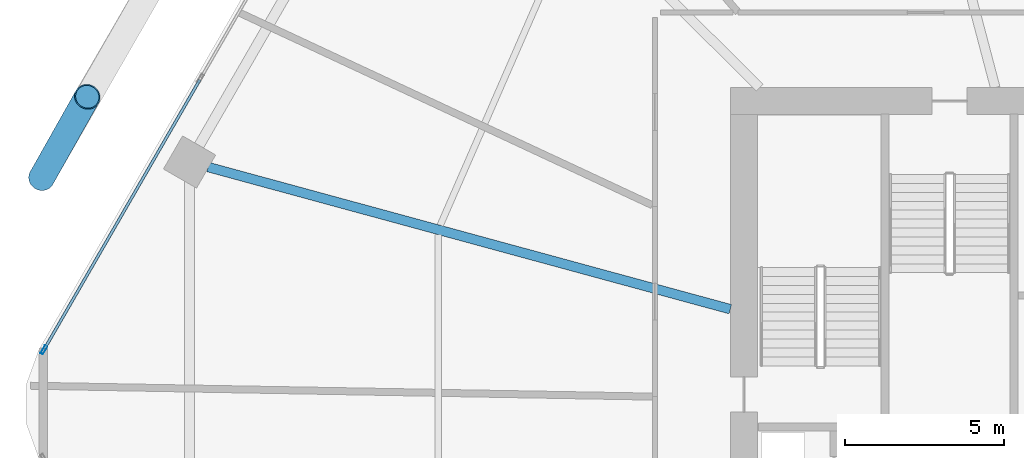
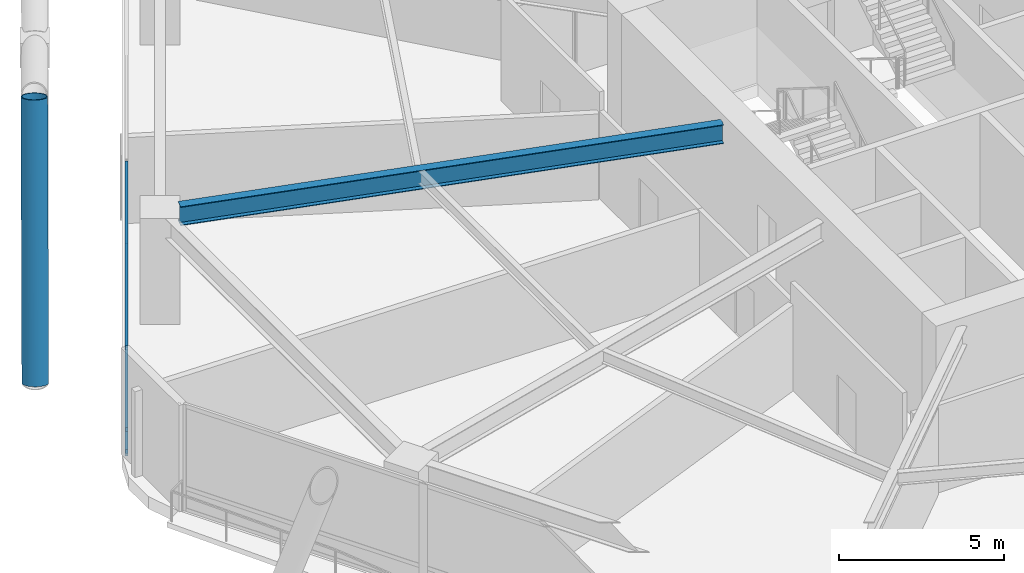
# One storey, part 13 of 31: 5 members, 1 beam, 1 element without a shape of its own.
"""IFC4 building model written with IfcOpenShell, lengths in metres."""

from ifc_helpers import new_model, si_unit, direction, frame, origin, origin_2d, place, context, subcontext, project, spatial, hollow_rectangle, hollow_circle, i_section, extrude, material, material_profile, profile_set, type_object, element, aggregate, save


model = new_model("IFC4")

# Units and contexts
model_context = context("Model", 3, precision=1e-05, world=origin(), true_north=direction((0.0, 1.0)))
body_context = subcontext(model_context, "Body", "Model", "MODEL_VIEW")
ifc_project = project(units=[si_unit("LENGTHUNIT", "METRE"), si_unit("AREAUNIT", "SQUARE_METRE"), si_unit("VOLUMEUNIT", "CUBIC_METRE"), si_unit("PLANEANGLEUNIT", "RADIAN"), si_unit("MASSUNIT", "GRAM", prefix="KILO")], contexts=[model_context])

# Site, building, storey
site_placement = place(None, origin())
site = spatial("IfcSite", under=ifc_project, at=site_placement, CompositionType="ELEMENT")
building_placement = place(site_placement, origin())
building = spatial("IfcBuilding", under=site, at=building_placement, Name="Zuhravey Tower", CompositionType="ELEMENT")
storey_placement = place(building_placement, frame((0.0, 0.0, 7.800048828125)))
storey = spatial("IfcBuildingStorey", under=building, at=storey_placement, Name="L02", CompositionType="ELEMENT", Elevation=7.800048828125)

# Curtain wall, members
ifc_material_1 = material(Name="Thermally broken anodised aluminium", Category="aluminium")
curtain_wall_type = type_object("IfcCurtainWallType", Name="School Low-E Unitised Curtain Wall CW1", PredefinedType="NOTDEFINED", material=ifc_material_1)
curtain_wall_placement = place(storey_placement, origin())
curtain_wall = element("IfcCurtainWall", 1, at=curtain_wall_placement, inside=storey, type_object=curtain_wall_type, Name="L02 CW1 CW-L02-F3-1", PredefinedType="NOTDEFINED")
ifc_material_2 = material(Name="Anodised aluminium", Category="aluminium")
ifc_material_profile_1 = material_profile(ifc_material_2, hollow_rectangle(XDim=0.090087890625, YDim=0.284912109375, WallThickness=0.0048828125, at=origin_2d()), Name="ALU-RHS-90x285x5")
ifc_profile_set_1 = profile_set([ifc_material_profile_1], Name="Anodised aluminium")
member_type_1 = type_object("IfcMemberType", Name="Curtain-Wall Mullion 90x180", PredefinedType="MULLION", material=ifc_profile_set_1)
member_1_placement = place(storey_placement, frame((3.5439453125, 33.701416015625, 0.0), z_axis=(0.0, 0.0, 1.0), x_axis=(-0.86602552265, 0.499999794119, 0.0)))
member_1 = element("IfcMember", 2, at=member_1_placement, type_object=member_type_1, Name="CW1 mullion 1", PredefinedType="MULLION", context=body_context, shape_type="SweptSolid", body=[
    extrude(hollow_rectangle(XDim=0.090087890625, YDim=0.284912109375, WallThickness=0.0048828125, at=origin_2d()), origin(), (0.0, 0.0, 1.0), 3.919921875),
])
ifc_material_profile_2 = material_profile(ifc_material_2, hollow_rectangle(XDim=0.090087890625, YDim=0.14990234375, WallThickness=0.0048828125, at=origin_2d()), Name="ALU-RHS-90x150x5")
ifc_profile_set_2 = profile_set([ifc_material_profile_2], Name="Anodised aluminium")
member_type_2 = type_object("IfcMemberType", Name="Curtain-Wall Transom 90x150", PredefinedType="USERDEFINED", material=ifc_profile_set_2)
member_2_placement = place(storey_placement, frame((3.56640625, 33.740478515625, 0.044921875), z_axis=(0.500008393077, 0.866020557985, 0.0), x_axis=(-0.866020557985, 0.500008393077, 0.0)))
member_2 = element("IfcMember", 3, at=member_2_placement, type_object=member_type_2, Name="CW1 transom 1.1", ObjectType="TRANSOM", PredefinedType="USERDEFINED", context=body_context, shape_type="SweptSolid", body=[
    extrude(hollow_rectangle(XDim=0.090087890625, YDim=0.14990234375, WallThickness=0.0048828125, at=origin_2d()), origin(), (0.0, 0.0, 1.0), 9.731201171875),
])
member_3_placement = place(storey_placement, frame((3.56640625, 33.740478515625, 0.849853515625), z_axis=(0.500008393077, 0.866020557985, 0.0), x_axis=(-0.866020557985, 0.500008393077, 0.0)))
member_3 = element("IfcMember", 4, at=member_3_placement, type_object=member_type_2, Name="CW1 transom 1.2", ObjectType="TRANSOM", PredefinedType="USERDEFINED", context=body_context, shape_type="SweptSolid", body=[
    extrude(hollow_rectangle(XDim=0.090087890625, YDim=0.14990234375, WallThickness=0.0048828125, at=origin_2d()), origin(), (0.0, 0.0, 1.0), 9.731201171875),
])
member_4_placement = place(storey_placement, frame((3.56640625, 33.740478515625, 3.875), z_axis=(0.500008393077, 0.866020557985, 0.0), x_axis=(-0.866020557985, 0.500008393077, 0.0)))
member_4 = element("IfcMember", 5, at=member_4_placement, type_object=member_type_2, Name="CW1 transom 1.3", ObjectType="TRANSOM", PredefinedType="USERDEFINED", context=body_context, shape_type="SweptSolid", body=[
    extrude(hollow_rectangle(XDim=0.090087890625, YDim=0.14990234375, WallThickness=0.0048828125, at=origin_2d()), origin(), (0.0, 0.0, 1.0), 9.731201171875),
])
aggregate(curtain_wall, [member_1, member_2, member_3, member_4])

# Member
ifc_material_3 = material(Name="Steel SM460", Category="steel")
ifc_material_profile_3 = material_profile(ifc_material_3, hollow_circle(Radius=0.406494140625, WallThickness=0.035888671875, at=origin_2d()), Name="CHS-812.8x36")
ifc_profile_set_3 = profile_set([ifc_material_profile_3], Name="Steel SM460")
member_type_3 = type_object("IfcMemberType", Name="Exoskeleton Zone 1 Diagrid CHS813x36", PredefinedType="BRACE", material=ifc_profile_set_3)
member_5_placement = place(storey_placement, frame((3.46630859375, 39.087158203125, -0.64208984375), z_axis=(0.159512980897, 0.282925655591, 0.945784691319), x_axis=(-0.871091893966, 0.491120058913, 0.0)))
element("IfcMember", 6, at=member_5_placement, inside=storey, type_object=member_type_3, Name="L02 Face 3 Diagrid Brace 4", PredefinedType="BRACE", context=body_context, shape_type="SweptSolid", body=[
    extrude(hollow_circle(Radius=0.406494140625, WallThickness=0.035888671875, at=origin_2d()), origin(), (0.0, 0.0, 1.0), 9.014892578125),
])

# Beam
ifc_material_4 = material(Name="Steel SM355", Category="steel")
ifc_material_profile_4 = material_profile(ifc_material_4, i_section(OverallWidth=0.300048828125, OverallDepth=0.699951171875, WebThickness=0.012939453125, FlangeThickness=0.02392578125, at=origin_2d()), Name="H-700x300x13x24")
ifc_profile_set_4 = profile_set([ifc_material_profile_4], Name="Steel SM355")
beam_type = type_object("IfcBeamType", Name="Radial Primary Girder H700x300", PredefinedType="BEAM", material=ifc_profile_set_4)
beam_placement = place(storey_placement, frame((25.072021484375, 34.974609375, 3.570068359375), z_axis=(-0.964892480455, 0.26264520015, 0.0), x_axis=(-0.26264520015, -0.964892480455, 0.0)))
element("IfcBeam", 7, at=beam_placement, inside=storey, type_object=beam_type, Name="L02 RG1 BM-L02-RAD-06", PredefinedType="BEAM", context=body_context, shape_type="SweptSolid", body=[
    extrude(i_section(OverallWidth=0.300048828125, OverallDepth=0.699951171875, WebThickness=0.012939453125, FlangeThickness=0.02392578125, at=origin_2d()), origin(), (0.0, 0.0, 1.0), 16.975341796875),
])

save(model, "model.ifc")
